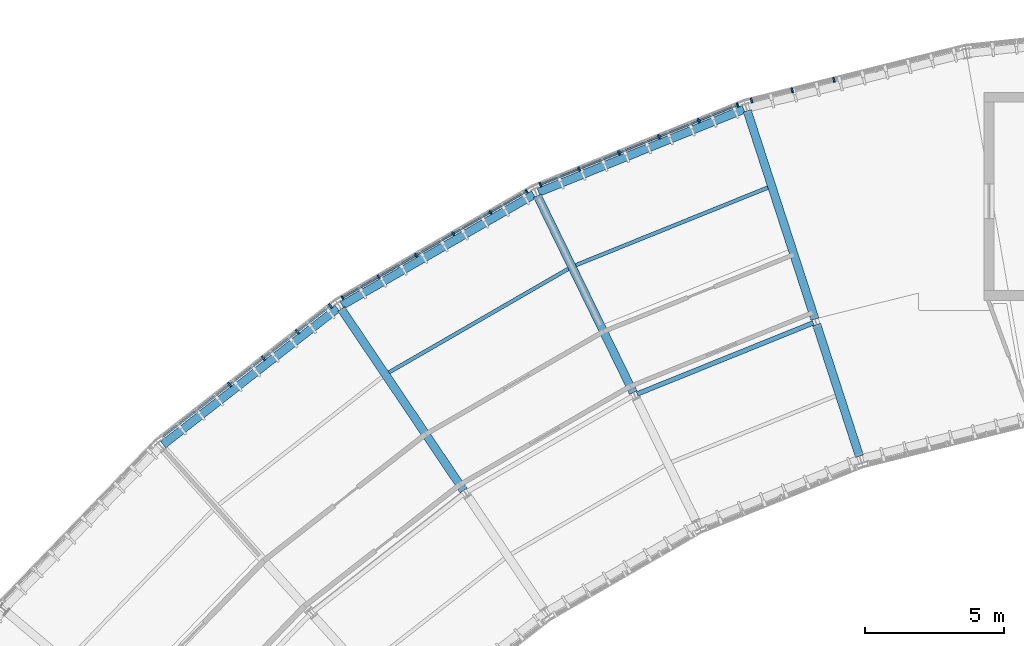
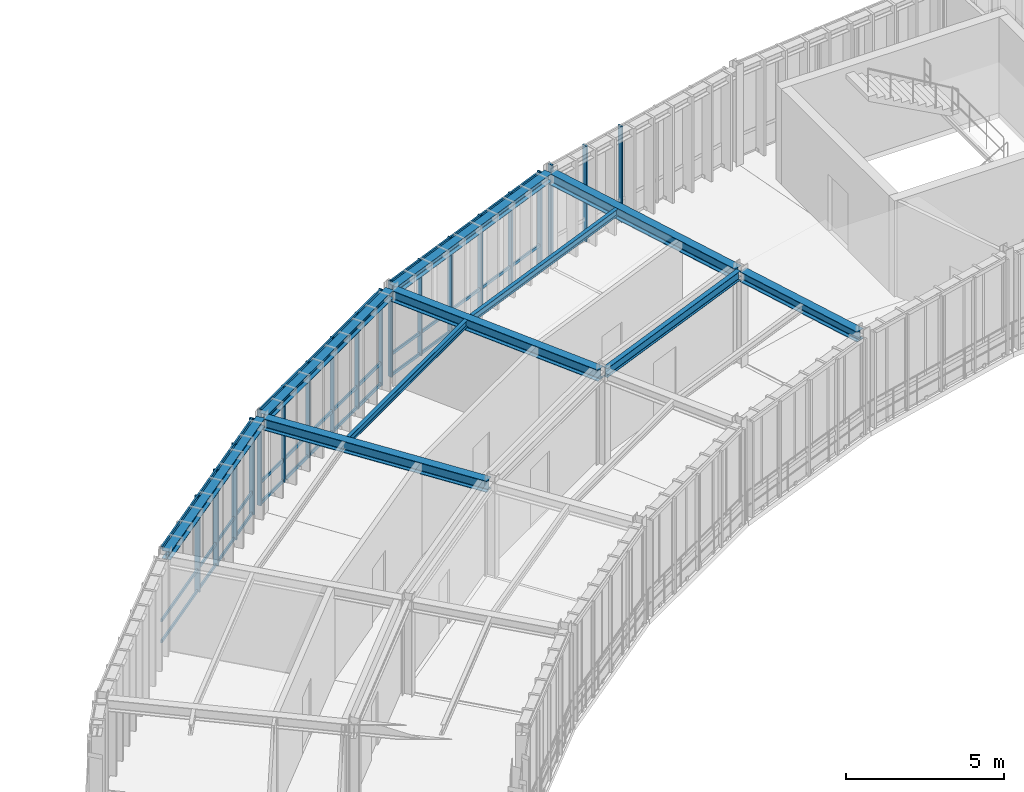
# One storey, part 16 of 41: 28 members, 10 beams, 4 elements without a shape of their own.
"""IFC4 building model written with IfcOpenShell, lengths in metres."""

from ifc_helpers import new_model, si_unit, direction, frame, origin, origin_2d, place, context, subcontext, project, spatial, rectangle, i_section, extrude, material, layer, layer_set, material_profile, profile_set, type_object, element, aggregate, save


model = new_model("IFC4")

# Units and contexts
model_context = context("Model", 3, precision=1e-05, world=origin(), true_north=direction((0.0, 1.0)))
body_context = subcontext(model_context, "Body", "Model", "MODEL_VIEW")
ifc_project = project(units=[si_unit("LENGTHUNIT", "METRE"), si_unit("AREAUNIT", "SQUARE_METRE"), si_unit("VOLUMEUNIT", "CUBIC_METRE"), si_unit("PLANEANGLEUNIT", "RADIAN"), si_unit("MASSUNIT", "GRAM", prefix="KILO"), si_unit("THERMODYNAMICTEMPERATUREUNIT", "KELVIN"), si_unit("POWERUNIT", "WATT")], contexts=[model_context])

# Site, building, storey
site_placement = place(None, origin())
site = spatial("IfcSite", under=ifc_project, at=site_placement, CompositionType="ELEMENT")
building_placement = place(site_placement, origin())
building = spatial("IfcBuilding", under=site, at=building_placement, Name="Solvatero Civic Police Headquarters", CompositionType="ELEMENT")
storey_placement = place(building_placement, frame((0.0, 0.0, 17.699951171875)))
storey = spatial("IfcBuildingStorey", under=building, at=storey_placement, Name="L04", CompositionType="ELEMENT", Elevation=17.699951171875)

# Beams
ifc_material_1 = material(Name="Steel S355", Category="steel")
ifc_material_profile_1 = material_profile(ifc_material_1, i_section(OverallWidth=0.300048828125, OverallDepth=0.31005859375, WebThickness=0.009033203125, FlangeThickness=0.015380859375, FilletRadius=0.027099609375, at=origin_2d()), Name="HEA 320")
ifc_profile_set_1 = profile_set([ifc_material_profile_1], Name="Steel S355")
beam_type_1 = type_object("IfcBeamType", Name="BM-ST-HEA320", PredefinedType="SPANDREL", material=ifc_profile_set_1)
beam_1_placement = place(storey_placement, frame((75.783447265625, 81.741943359375, 3.545166015625), z_axis=(-0.927188731, -0.374594523594, 0.0), x_axis=(0.374594523594, -0.927188731, 0.0)))
element("IfcBeam", 1, at=beam_1_placement, inside=storey, type_object=beam_type_1, Name="Perimeter / radial spandrel beam BM-R2-L04-ARC-COUT-B04", PredefinedType="SPANDREL", context=body_context, shape_type="SweptSolid", body=[
    extrude(i_section(OverallWidth=0.300048828125, OverallDepth=0.31005859375, WebThickness=0.009033203125, FlangeThickness=0.015380859375, FilletRadius=0.027099609375, at=origin_2d()), origin(), (0.0, 0.0, 1.0), 7.982666015625),
])
for number, where, z_axis, x_axis, name in (
    (2, (68.202880859375, 78.664306640625, 3.545166015625), (-0.866028717572, -0.499994260308, 0.0), (0.499994260308, -0.866028717572, 0.0), "Perimeter / radial spandrel beam BM-R2-L04-ARC-COUT-B05"),
    (3, (61.12451171875, 74.5615234375, 3.545166015625), (-0.788008144593, -0.615664814696, 0.0), (0.615664814696, -0.788008144593, 0.0), "Perimeter / radial spandrel beam BM-R2-L04-ARC-COUT-B06"),
):
    element("IfcBeam", number, at=place(storey_placement, frame(where, z_axis=z_axis, x_axis=x_axis)), inside=storey, type_object=beam_type_1, Name=name, PredefinedType="SPANDREL", context=body_context, shape_type="SweptSolid", body=[
        extrude(i_section(OverallWidth=0.300048828125, OverallDepth=0.31005859375, WebThickness=0.009033203125, FlangeThickness=0.015380859375, FilletRadius=0.027099609375, at=origin_2d()), origin(), (0.0, 0.0, 1.0), 7.982421875),
    ])
ifc_material_profile_2 = material_profile(ifc_material_1, i_section(OverallWidth=0.300048828125, OverallDepth=0.389892578125, WebThickness=0.010986328125, FlangeThickness=0.01904296875, FilletRadius=0.027099609375, at=origin_2d()), Name="HEA 400")
ifc_profile_set_2 = profile_set([ifc_material_profile_2], Name="Steel S355")
beam_type_2 = type_object("IfcBeamType", Name="BM-ST-HEA400", PredefinedType="BEAM", material=ifc_profile_set_2)
beam_2_placement = place(storey_placement, frame((79.955078125, 69.2255859375, 3.505126953125), z_axis=(-0.308996636599, 0.951063130697, 0.0), x_axis=(-0.951063130697, -0.308996636599, 0.0)))
element("IfcBeam", 4, at=beam_2_placement, inside=storey, type_object=beam_type_2, Name="Primary girder BM-R2-L04-ARC-RAD1-S03", PredefinedType="BEAM", context=body_context, shape_type="SweptSolid", body=[
    extrude(i_section(OverallWidth=0.300048828125, OverallDepth=0.389892578125, WebThickness=0.010986328125, FlangeThickness=0.01904296875, FilletRadius=0.027099609375, at=origin_2d()), origin(), (0.0, 0.0, 1.0), 4.999755859375),
])
ifc_material_profile_3 = material_profile(ifc_material_1, i_section(OverallWidth=0.300048828125, OverallDepth=0.43994140625, WebThickness=0.011474609375, FlangeThickness=0.02099609375, FilletRadius=0.027099609375, at=origin_2d()), Name="HEA 450")
ifc_profile_set_3 = profile_set([ifc_material_profile_3], Name="Steel S355")
beam_type_3 = type_object("IfcBeamType", Name="BM-ST-HEA450", PredefinedType="BEAM", material=ifc_profile_set_3)
for number, where, z_axis, x_axis, name in (
    (5, (78.348388671875, 74.1708984375, 3.47998046875), (-0.309033663672, 0.951051099951, 0.0), (-0.951051099951, -0.309033663672, 0.0), "Primary girder BM-R2-L04-ARC-RAD2-S03"),
    (6, (71.79638671875, 71.52392578125, 3.47998046875), (-0.438365789194, 0.898796659353, 0.0), (-0.898796659353, -0.438365789194, 0.0), "Primary girder BM-R2-L04-ARC-RAD2-S04"),
    (7, (65.677001953125, 67.99072265625, 3.47998046875), (-0.559192054274, 0.829038145345, 0.0), (-0.829038145345, -0.559192054274, 0.0), "Primary girder BM-R2-L04-ARC-RAD2-S05"),
):
    element("IfcBeam", number, at=place(storey_placement, frame(where, z_axis=z_axis, x_axis=x_axis)), inside=storey, type_object=beam_type_3, Name=name, PredefinedType="BEAM", context=body_context, shape_type="SweptSolid", body=[
        extrude(i_section(OverallWidth=0.300048828125, OverallDepth=0.43994140625, WebThickness=0.011474609375, FlangeThickness=0.02099609375, FilletRadius=0.027099609375, at=origin_2d()), origin(), (0.0, 0.0, 1.0), 7.900146484375),
    ])
ifc_material_profile_4 = material_profile(ifc_material_1, i_section(OverallWidth=0.135009765625, OverallDepth=0.27001953125, WebThickness=0.006591796875, FlangeThickness=0.01025390625, FilletRadius=0.014892578125, at=origin_2d()), Name="IPE 270")
ifc_profile_set_4 = profile_set([ifc_material_profile_4], Name="Steel S355")
beam_type_4 = type_object("IfcBeamType", Name="BM-ST-IPE270", PredefinedType="BEAM", material=ifc_profile_set_4)
for number, where, z_axis, x_axis, name in (
    (8, (76.648681640625, 78.91748046875, 3.56494140625), (-0.92718880438, -0.374594341966, 0.0), (0.374594341966, -0.92718880438, 0.0), "Composite floor beam BM-R2-L04-ARC-CS2-B04"),
    (9, (69.452880859375, 75.98779296875, 3.56494140625), (-0.866030490612, -0.499991189252, 0.0), (0.499991189252, -0.866030490612, 0.0), "Composite floor beam BM-R2-L04-ARC-CS2-B05"),
):
    element("IfcBeam", number, at=place(storey_placement, frame(where, z_axis=z_axis, x_axis=x_axis)), inside=storey, type_object=beam_type_4, Name=name, PredefinedType="BEAM", context=body_context, shape_type="SweptSolid", body=[
        extrude(i_section(OverallWidth=0.135009765625, OverallDepth=0.27001953125, WebThickness=0.006591796875, FlangeThickness=0.01025390625, FilletRadius=0.014892578125, at=origin_2d()), origin(), (0.0, 0.0, 1.0), 7.470947265625),
    ])
ifc_material_profile_5 = material_profile(ifc_material_1, i_section(OverallWidth=0.169921875, OverallDepth=0.360107421875, WebThickness=0.008056640625, FlangeThickness=0.0126953125, FilletRadius=0.01806640625, at=origin_2d()), Name="IPE 360")
ifc_profile_set_5 = profile_set([ifc_material_profile_5], Name="Steel S355")
beam_type_5 = type_object("IfcBeamType", Name="BM-ST-IPE360", PredefinedType="BEAM", material=ifc_profile_set_5)
beam_3_placement = place(storey_placement, frame((78.28662109375, 74.038330078125, 3.52001953125), z_axis=(-0.927188538339, -0.374595000465, 0.0), x_axis=(0.374595000465, -0.927188538339, 0.0)))
element("IfcBeam", 10, at=beam_3_placement, inside=storey, type_object=beam_type_5, Name="Composite floor beam BM-R2-L04-ARC-CMID-B04", PredefinedType="BEAM", context=body_context, shape_type="SweptSolid", body=[
    extrude(i_section(OverallWidth=0.169921875, OverallDepth=0.360107421875, WebThickness=0.008056640625, FlangeThickness=0.0126953125, FilletRadius=0.01806640625, at=origin_2d()), origin(), (0.0, 0.0, 1.0), 6.8525390625),
])

# Curtain wall, members
ifc_material_2 = material(Name="Anodized Bronze Aluminium", Category="aluminium")
ifc_layer = layer(ifc_material_2, 0.179931640625)
ifc_layer_set = layer_set([ifc_layer], Name="Anodized Bronze Aluminium")
curtain_wall_type = type_object("IfcCurtainWallType", Name="CW-ARC-OUT", PredefinedType="USERDEFINED", material=ifc_layer_set)
curtain_wall_1_placement = place(storey_placement, origin())
curtain_wall_1 = element("IfcCurtainWall", 11, at=curtain_wall_1_placement, inside=storey, type_object=curtain_wall_type, Name="Curtain Wall CW-R2-L04-ARC-OUT-B05", ObjectType="UNITISED", PredefinedType="USERDEFINED")
ifc_material_profile_6 = material_profile(ifc_material_2, rectangle(XDim=0.06005859375, YDim=0.139892578125, at=origin_2d()), Name="ALU MULLION 60x140")
ifc_profile_set_6 = profile_set([ifc_material_profile_6], Name="Anodized Bronze Aluminium")
member_type_1 = type_object("IfcMemberType", Name="CWM-160x65", PredefinedType="MULLION", material=ifc_profile_set_6)
member_1_placement = place(storey_placement, frame((67.94970703125, 78.782958984375, 0.0), z_axis=(0.0, 0.0, 1.0), x_axis=(-0.866025403784, -0.5, 0.0)))
member_1 = element("IfcMember", 12, at=member_1_placement, type_object=member_type_1, Name="CW-R2-L04-ARC-OUT-B05 Mullion 1", PredefinedType="MULLION", context=body_context, shape_type="SweptSolid", body=[
    extrude(rectangle(XDim=0.06005859375, YDim=0.139892578125, at=origin_2d()), origin(), (0.0, 0.0, 1.0), 3.699951171875),
])
member_2_placement = place(storey_placement, frame((66.6416015625, 78.027587890625, 0.0), z_axis=(0.0, 0.0, 1.0), x_axis=(-0.866025403784, -0.5, 0.0)))
member_2 = element("IfcMember", 13, at=member_2_placement, type_object=member_type_1, Name="CW-R2-L04-ARC-OUT-B05 Mullion 2", PredefinedType="MULLION", context=body_context, shape_type="SweptSolid", body=[
    extrude(rectangle(XDim=0.06005859375, YDim=0.139892578125, at=origin_2d()), origin(), (0.0, 0.0, 1.0), 3.699951171875),
])
member_3_placement = place(storey_placement, frame((65.298583984375, 77.25244140625, 0.0), z_axis=(0.0, 0.0, 1.0), x_axis=(-0.866025403784, -0.5, 0.0)))
member_3 = element("IfcMember", 14, at=member_3_placement, type_object=member_type_1, Name="CW-R2-L04-ARC-OUT-B05 Mullion 3", PredefinedType="MULLION", context=body_context, shape_type="SweptSolid", body=[
    extrude(rectangle(XDim=0.06005859375, YDim=0.139892578125, at=origin_2d()), origin(), (0.0, 0.0, 1.0), 3.699951171875),
])
member_4_placement = place(storey_placement, frame((63.9560546875, 76.477294921875, 0.0), z_axis=(0.0, 0.0, 1.0), x_axis=(-0.866025403784, -0.5, 0.0)))
member_4 = element("IfcMember", 15, at=member_4_placement, type_object=member_type_1, Name="CW-R2-L04-ARC-OUT-B05 Mullion 4", PredefinedType="MULLION", context=body_context, shape_type="SweptSolid", body=[
    extrude(rectangle(XDim=0.06005859375, YDim=0.139892578125, at=origin_2d()), origin(), (0.0, 0.0, 1.0), 3.699951171875),
])
member_5_placement = place(storey_placement, frame((62.61328125, 75.701904296875, 0.0), z_axis=(0.0, 0.0, 1.0), x_axis=(-0.866025403784, -0.5, 0.0)))
member_5 = element("IfcMember", 16, at=member_5_placement, type_object=member_type_1, Name="CW-R2-L04-ARC-OUT-B05 Mullion 5", PredefinedType="MULLION", context=body_context, shape_type="SweptSolid", body=[
    extrude(rectangle(XDim=0.06005859375, YDim=0.139892578125, at=origin_2d()), origin(), (0.0, 0.0, 1.0), 3.699951171875),
])
member_6_placement = place(storey_placement, frame((61.30517578125, 74.94677734375, 0.0), z_axis=(0.0, 0.0, 1.0), x_axis=(-0.866025403784, -0.5, 0.0)))
member_6 = element("IfcMember", 17, at=member_6_placement, type_object=member_type_1, Name="CW-R2-L04-ARC-OUT-B05 Mullion 6", PredefinedType="MULLION", context=body_context, shape_type="SweptSolid", body=[
    extrude(rectangle(XDim=0.06005859375, YDim=0.139892578125, at=origin_2d()), origin(), (0.0, 0.0, 1.0), 3.699951171875),
])

curtain_wall_2_placement = place(storey_placement, origin())
curtain_wall_2 = element("IfcCurtainWall", 18, at=curtain_wall_2_placement, inside=storey, type_object=curtain_wall_type, Name="Curtain Wall CW-R2-L04-ARC-OUT-B04", ObjectType="UNITISED", PredefinedType="USERDEFINED")
ifc_material_profile_7 = material_profile(ifc_material_2, rectangle(XDim=0.06005859375, YDim=0.159912109375, at=origin_2d()), Name="ALU MULLION 60x160")
ifc_profile_set_7 = profile_set([ifc_material_profile_7], Name="Anodized Bronze Aluminium")
member_type_2 = type_object("IfcMemberType", Name="CWM-180x70", PredefinedType="MULLION", material=ifc_profile_set_7)
member_7_placement = place(storey_placement, frame((75.55859375, 81.8984375, 0.0), z_axis=(0.0, 0.0, 1.0), x_axis=(-0.927190392544, -0.374590410948, 0.0)))
member_7 = element("IfcMember", 19, at=member_7_placement, type_object=member_type_2, Name="CW-R2-L04-ARC-OUT-B04 Mullion 1", PredefinedType="MULLION", context=body_context, shape_type="SweptSolid", body=[
    extrude(rectangle(XDim=0.06005859375, YDim=0.159912109375, at=origin_2d()), origin(), (0.0, 0.0, 1.0), 3.699951171875),
])
member_8_placement = place(storey_placement, frame((74.157958984375, 81.332763671875, 0.0), z_axis=(0.0, 0.0, 1.0), x_axis=(-0.927190392544, -0.374590410948, 0.0)))
member_8 = element("IfcMember", 20, at=member_8_placement, type_object=member_type_2, Name="CW-R2-L04-ARC-OUT-B04 Mullion 2", PredefinedType="MULLION", context=body_context, shape_type="SweptSolid", body=[
    extrude(rectangle(XDim=0.06005859375, YDim=0.159912109375, at=origin_2d()), origin(), (0.0, 0.0, 1.0), 3.699951171875),
])
member_9_placement = place(storey_placement, frame((72.720458984375, 80.751708984375, 0.0), z_axis=(0.0, 0.0, 1.0), x_axis=(-0.927190392544, -0.374590410948, 0.0)))
member_9 = element("IfcMember", 21, at=member_9_placement, type_object=member_type_2, Name="CW-R2-L04-ARC-OUT-B04 Mullion 3", PredefinedType="MULLION", context=body_context, shape_type="SweptSolid", body=[
    extrude(rectangle(XDim=0.06005859375, YDim=0.159912109375, at=origin_2d()), origin(), (0.0, 0.0, 1.0), 3.699951171875),
])
member_10_placement = place(storey_placement, frame((71.28271484375, 80.1708984375, 0.0), z_axis=(0.0, 0.0, 1.0), x_axis=(-0.927190392544, -0.374590410948, 0.0)))
member_10 = element("IfcMember", 22, at=member_10_placement, type_object=member_type_2, Name="CW-R2-L04-ARC-OUT-B04 Mullion 4", PredefinedType="MULLION", context=body_context, shape_type="SweptSolid", body=[
    extrude(rectangle(XDim=0.06005859375, YDim=0.159912109375, at=origin_2d()), origin(), (0.0, 0.0, 1.0), 3.699951171875),
])
member_11_placement = place(storey_placement, frame((69.84521484375, 79.590087890625, 0.0), z_axis=(0.0, 0.0, 1.0), x_axis=(-0.927190392544, -0.374590410948, 0.0)))
member_11 = element("IfcMember", 23, at=member_11_placement, type_object=member_type_2, Name="CW-R2-L04-ARC-OUT-B04 Mullion 5", PredefinedType="MULLION", context=body_context, shape_type="SweptSolid", body=[
    extrude(rectangle(XDim=0.06005859375, YDim=0.159912109375, at=origin_2d()), origin(), (0.0, 0.0, 1.0), 3.699951171875),
])
member_12_placement = place(storey_placement, frame((68.444580078125, 79.0244140625, 0.0), z_axis=(0.0, 0.0, 1.0), x_axis=(-0.927190392544, -0.374590410948, 0.0)))
member_12 = element("IfcMember", 24, at=member_12_placement, type_object=member_type_2, Name="CW-R2-L04-ARC-OUT-B04 Mullion 6", PredefinedType="MULLION", context=body_context, shape_type="SweptSolid", body=[
    extrude(rectangle(XDim=0.06005859375, YDim=0.159912109375, at=origin_2d()), origin(), (0.0, 0.0, 1.0), 3.699951171875),
])

curtain_wall_3_placement = place(storey_placement, origin())
curtain_wall_3 = element("IfcCurtainWall", 25, at=curtain_wall_3_placement, inside=storey, type_object=curtain_wall_type, Name="Curtain Wall CW-R2-L04-ARC-OUT-B03", ObjectType="UNITISED", PredefinedType="USERDEFINED")
ifc_material_profile_8 = material_profile(ifc_material_2, rectangle(XDim=0.06494140625, YDim=0.179931640625, at=origin_2d()), Name="ALU MULLION 65x180")
ifc_profile_set_8 = profile_set([ifc_material_profile_8], Name="Anodized Bronze Aluminium")
member_type_3 = type_object("IfcMemberType", Name="CWM-200x75", PredefinedType="MULLION", material=ifc_profile_set_8)
member_13_placement = place(storey_placement, frame((79.033203125, 82.802978515625, 0.0), z_axis=(0.0, 0.0, 1.0), x_axis=(-0.970295726276, -0.2419218956, 0.0)))
member_13 = element("IfcMember", 26, at=member_13_placement, type_object=member_type_3, Name="CW-R2-L04-ARC-OUT-B03 Mullion 4", PredefinedType="MULLION", context=body_context, shape_type="SweptSolid", body=[
    extrude(rectangle(XDim=0.06494140625, YDim=0.179931640625, at=origin_2d()), origin(), (0.0, 0.0, 1.0), 3.699951171875),
])
member_14_placement = place(storey_placement, frame((77.52880859375, 82.427978515625, 0.0), z_axis=(0.0, 0.0, 1.0), x_axis=(-0.970295726276, -0.2419218956, 0.0)))
member_14 = element("IfcMember", 27, at=member_14_placement, type_object=member_type_3, Name="CW-R2-L04-ARC-OUT-B03 Mullion 5", PredefinedType="MULLION", context=body_context, shape_type="SweptSolid", body=[
    extrude(rectangle(XDim=0.06494140625, YDim=0.179931640625, at=origin_2d()), origin(), (0.0, 0.0, 1.0), 3.699951171875),
])
member_15_placement = place(storey_placement, frame((76.063232421875, 82.0625, 0.0), z_axis=(0.0, 0.0, 1.0), x_axis=(-0.970295726276, -0.2419218956, 0.0)))
member_15 = element("IfcMember", 28, at=member_15_placement, type_object=member_type_3, Name="CW-R2-L04-ARC-OUT-B03 Mullion 6", PredefinedType="MULLION", context=body_context, shape_type="SweptSolid", body=[
    extrude(rectangle(XDim=0.06494140625, YDim=0.179931640625, at=origin_2d()), origin(), (0.0, 0.0, 1.0), 3.699951171875),
])
aggregate(curtain_wall_3, [member_13, member_14, member_15])

curtain_wall_4_placement = place(storey_placement, origin())
curtain_wall_4 = element("IfcCurtainWall", 29, at=curtain_wall_4_placement, inside=storey, type_object=curtain_wall_type, Name="Curtain Wall CW-R2-L04-ARC-OUT-B06", ObjectType="UNITISED", PredefinedType="USERDEFINED")
member_16_placement = place(storey_placement, frame((60.864990234375, 74.64990234375, 0.0), z_axis=(0.0, 0.0, 1.0), x_axis=(-0.788010753607, -0.615661475326, 0.0)))
member_16 = element("IfcMember", 30, at=member_16_placement, type_object=member_type_3, Name="CW-R2-L04-ARC-OUT-B06 Mullion 1", PredefinedType="MULLION", context=body_context, shape_type="SweptSolid", body=[
    extrude(rectangle(XDim=0.06494140625, YDim=0.179931640625, at=origin_2d()), origin(), (0.0, 0.0, 1.0), 3.699951171875),
])
member_17_placement = place(storey_placement, frame((59.6748046875, 73.719970703125, 0.0), z_axis=(0.0, 0.0, 1.0), x_axis=(-0.788010753607, -0.615661475326, 0.0)))
member_17 = element("IfcMember", 31, at=member_17_placement, type_object=member_type_3, Name="CW-R2-L04-ARC-OUT-B06 Mullion 2", PredefinedType="MULLION", context=body_context, shape_type="SweptSolid", body=[
    extrude(rectangle(XDim=0.06494140625, YDim=0.179931640625, at=origin_2d()), origin(), (0.0, 0.0, 1.0), 3.699951171875),
])
member_18_placement = place(storey_placement, frame((58.452880859375, 72.765380859375, 0.0), z_axis=(0.0, 0.0, 1.0), x_axis=(-0.788010753607, -0.615661475326, 0.0)))
member_18 = element("IfcMember", 32, at=member_18_placement, type_object=member_type_3, Name="CW-R2-L04-ARC-OUT-B06 Mullion 3", PredefinedType="MULLION", context=body_context, shape_type="SweptSolid", body=[
    extrude(rectangle(XDim=0.06494140625, YDim=0.179931640625, at=origin_2d()), origin(), (0.0, 0.0, 1.0), 3.699951171875),
])
member_19_placement = place(storey_placement, frame((57.231201171875, 71.810791015625, 0.0), z_axis=(0.0, 0.0, 1.0), x_axis=(-0.788010753607, -0.615661475326, 0.0)))
member_19 = element("IfcMember", 33, at=member_19_placement, type_object=member_type_3, Name="CW-R2-L04-ARC-OUT-B06 Mullion 4", PredefinedType="MULLION", context=body_context, shape_type="SweptSolid", body=[
    extrude(rectangle(XDim=0.06494140625, YDim=0.179931640625, at=origin_2d()), origin(), (0.0, 0.0, 1.0), 3.699951171875),
])

# Member
ifc_material_profile_9 = material_profile(ifc_material_2, rectangle(XDim=0.06005859375, YDim=0.110107421875, at=origin_2d()), Name="ALU TRANSOM 60x110")
ifc_profile_set_9 = profile_set([ifc_material_profile_9], Name="Anodized Bronze Aluminium")
member_type_4 = type_object("IfcMemberType", Name="CWT-140x60", PredefinedType="USERDEFINED", material=ifc_profile_set_9)
member_20_placement = place(storey_placement, frame((75.54931640625, 81.894775390625, 0.0400390625), z_axis=(-0.927186228053, -0.374600718777, 0.0), x_axis=(0.374600718777, -0.927186228053, 0.0)))
member_20 = element("IfcMember", 34, at=member_20_placement, type_object=member_type_4, Name="CW-R2-L04-ARC-OUT-B04 Transom 1", ObjectType="TRANSOM", PredefinedType="USERDEFINED", context=body_context, shape_type="SweptSolid", body=[
    extrude(rectangle(XDim=0.06005859375, YDim=0.110107421875, at=origin_2d()), origin(), (0.0, 0.0, 1.0), 7.652587890625),
])

member_21_placement = place(storey_placement, frame((75.54931640625, 81.894775390625, 0.85009765625), z_axis=(-0.927186228053, -0.374600718777, 0.0), x_axis=(0.374600718777, -0.927186228053, 0.0)))
member_21 = element("IfcMember", 35, at=member_21_placement, type_object=member_type_4, Name="CW-R2-L04-ARC-OUT-B04 Transom 2", ObjectType="TRANSOM", PredefinedType="USERDEFINED", context=body_context, shape_type="SweptSolid", body=[
    extrude(rectangle(XDim=0.06005859375, YDim=0.110107421875, at=origin_2d()), origin(), (0.0, 0.0, 1.0), 7.652587890625),
])

member_22_placement = place(storey_placement, frame((75.54931640625, 81.894775390625, 3.66015625), z_axis=(-0.927186228053, -0.374600718777, 0.0), x_axis=(0.374600718777, -0.927186228053, 0.0)))
member_22 = element("IfcMember", 36, at=member_22_placement, type_object=member_type_4, Name="CW-R2-L04-ARC-OUT-B04 Transom 3", ObjectType="TRANSOM", PredefinedType="USERDEFINED", context=body_context, shape_type="SweptSolid", body=[
    extrude(rectangle(XDim=0.06005859375, YDim=0.110107421875, at=origin_2d()), origin(), (0.0, 0.0, 1.0), 7.652587890625),
])

aggregate(curtain_wall_2, [member_7, member_8, member_9, member_10, member_11, member_12, member_20, member_21, member_22])

member_23_placement = place(storey_placement, frame((60.857177734375, 74.643798828125, 0.0400390625), z_axis=(-0.788022438988, -0.615646518427, 0.0), x_axis=(0.615646518427, -0.788022438988, 0.0)))
member_23 = element("IfcMember", 37, at=member_23_placement, type_object=member_type_4, Name="CW-R2-L04-ARC-OUT-B06 Transom 1", ObjectType="TRANSOM", PredefinedType="USERDEFINED", context=body_context, shape_type="SweptSolid", body=[
    extrude(rectangle(XDim=0.06005859375, YDim=0.110107421875, at=origin_2d()), origin(), (0.0, 0.0, 1.0), 7.65234375),
])

member_24_placement = place(storey_placement, frame((60.857177734375, 74.643798828125, 0.85009765625), z_axis=(-0.788022438988, -0.615646518427, 0.0), x_axis=(0.615646518427, -0.788022438988, 0.0)))
member_24 = element("IfcMember", 38, at=member_24_placement, type_object=member_type_4, Name="CW-R2-L04-ARC-OUT-B06 Transom 2", ObjectType="TRANSOM", PredefinedType="USERDEFINED", context=body_context, shape_type="SweptSolid", body=[
    extrude(rectangle(XDim=0.06005859375, YDim=0.110107421875, at=origin_2d()), origin(), (0.0, 0.0, 1.0), 7.65234375),
])

member_25_placement = place(storey_placement, frame((60.857177734375, 74.643798828125, 3.66015625), z_axis=(-0.788022438988, -0.615646518427, 0.0), x_axis=(0.615646518427, -0.788022438988, 0.0)))
member_25 = element("IfcMember", 39, at=member_25_placement, type_object=member_type_4, Name="CW-R2-L04-ARC-OUT-B06 Transom 3", ObjectType="TRANSOM", PredefinedType="USERDEFINED", context=body_context, shape_type="SweptSolid", body=[
    extrude(rectangle(XDim=0.06005859375, YDim=0.110107421875, at=origin_2d()), origin(), (0.0, 0.0, 1.0), 7.65234375),
])

aggregate(curtain_wall_4, [member_16, member_17, member_18, member_19, member_23, member_24, member_25])

ifc_material_profile_10 = material_profile(ifc_material_2, rectangle(XDim=0.06005859375, YDim=0.125, at=origin_2d()), Name="ALU TRANSOM 60x125")
ifc_profile_set_10 = profile_set([ifc_material_profile_10], Name="Anodized Bronze Aluminium")
member_type_5 = type_object("IfcMemberType", Name="CWT-160x65", PredefinedType="USERDEFINED", material=ifc_profile_set_10)
member_26_placement = place(storey_placement, frame((67.94091796875, 78.77783203125, 0.0400390625), z_axis=(-0.866041609064, -0.499971930582, 0.0), x_axis=(0.499971930582, -0.866041609064, 0.0)))
member_26 = element("IfcMember", 40, at=member_26_placement, type_object=member_type_5, Name="CW-R2-L04-ARC-OUT-B05 Transom 1", ObjectType="TRANSOM", PredefinedType="USERDEFINED", context=body_context, shape_type="SweptSolid", body=[
    extrude(rectangle(XDim=0.06005859375, YDim=0.125, at=origin_2d()), origin(), (0.0, 0.0, 1.0), 7.65234375),
])

member_27_placement = place(storey_placement, frame((67.94091796875, 78.77783203125, 0.85009765625), z_axis=(-0.866041609064, -0.499971930582, 0.0), x_axis=(0.499971930582, -0.866041609064, 0.0)))
member_27 = element("IfcMember", 41, at=member_27_placement, type_object=member_type_5, Name="CW-R2-L04-ARC-OUT-B05 Transom 2", ObjectType="TRANSOM", PredefinedType="USERDEFINED", context=body_context, shape_type="SweptSolid", body=[
    extrude(rectangle(XDim=0.06005859375, YDim=0.125, at=origin_2d()), origin(), (0.0, 0.0, 1.0), 7.65234375),
])

member_28_placement = place(storey_placement, frame((67.94091796875, 78.77783203125, 3.66015625), z_axis=(-0.866041609064, -0.499971930582, 0.0), x_axis=(0.499971930582, -0.866041609064, 0.0)))
member_28 = element("IfcMember", 42, at=member_28_placement, type_object=member_type_5, Name="CW-R2-L04-ARC-OUT-B05 Transom 3", ObjectType="TRANSOM", PredefinedType="USERDEFINED", context=body_context, shape_type="SweptSolid", body=[
    extrude(rectangle(XDim=0.06005859375, YDim=0.125, at=origin_2d()), origin(), (0.0, 0.0, 1.0), 7.65234375),
])

aggregate(curtain_wall_1, [member_1, member_2, member_3, member_4, member_5, member_6, member_26, member_27, member_28])

save(model, "model.ifc")
